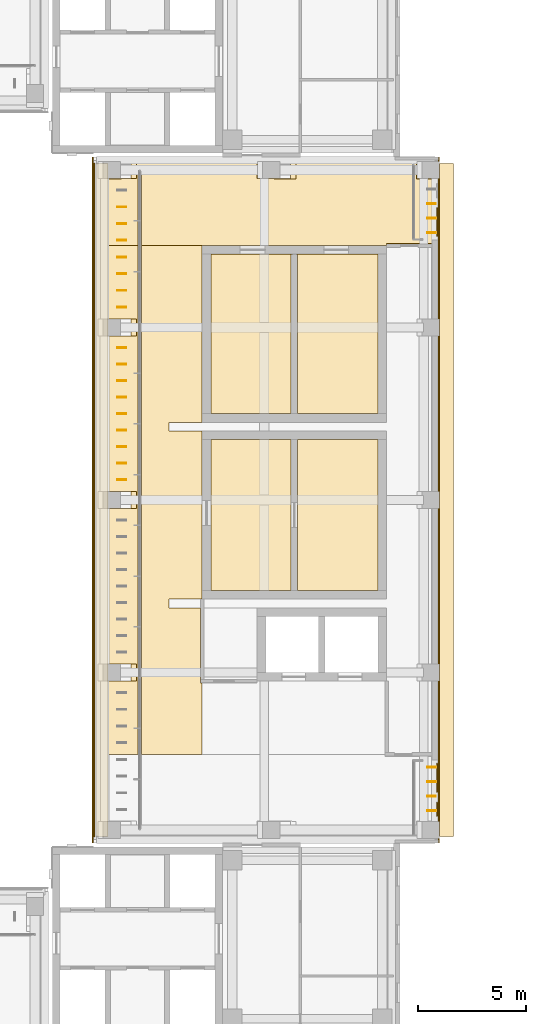
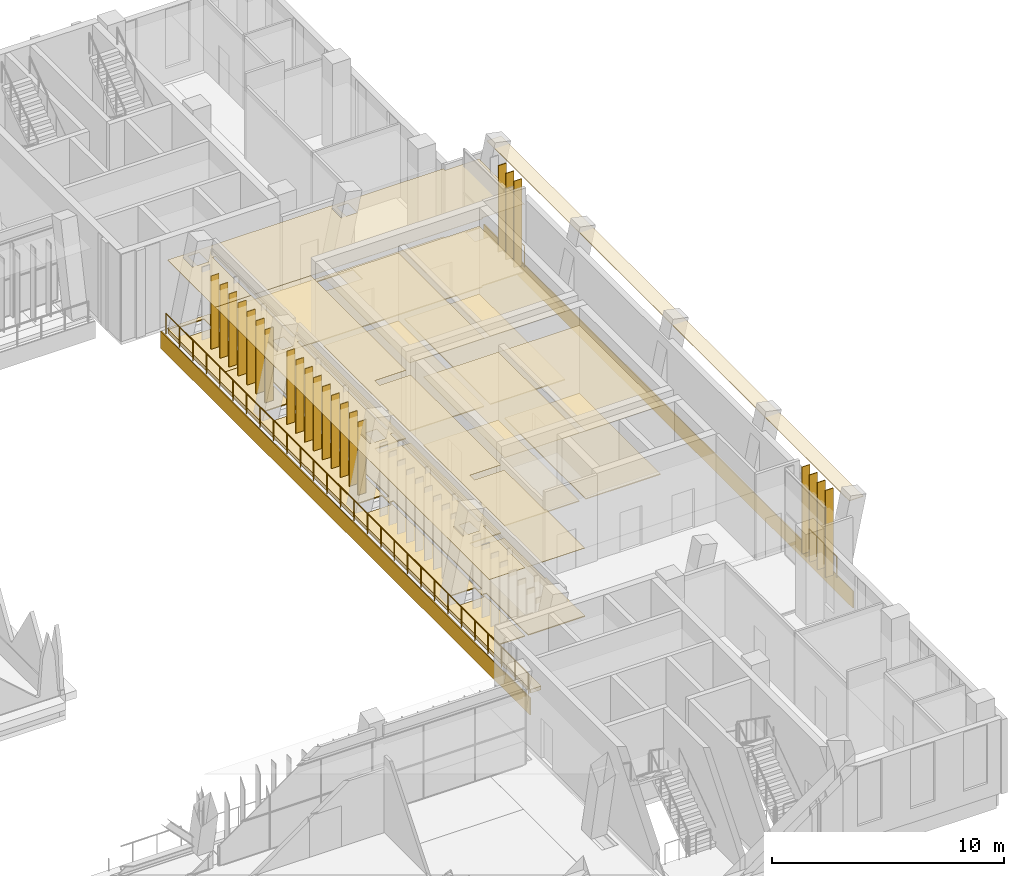
# One storey, part 139 of 141: 23 shading devices, 16 coverings, 4 railings.
"""IFC4 building model written with IfcOpenShell, lengths in metres."""

from ifc_helpers import new_model, si_unit, direction, frame, frame_2d, origin, origin_2d, place, context, subcontext, project, spatial, polyline, rectangle, circle, outline, extrude, material, layer, layer_set, type_object, element, save


model = new_model("IFC4")

# Units and contexts
model_context = context("Model", 3, precision=1e-05, world=origin(), true_north=direction((0.0, 1.0)))
body_context = subcontext(model_context, "Body", "Model", "MODEL_VIEW")
ifc_project = project(units=[si_unit("LENGTHUNIT", "METRE"), si_unit("AREAUNIT", "SQUARE_METRE"), si_unit("VOLUMEUNIT", "CUBIC_METRE"), si_unit("PLANEANGLEUNIT", "RADIAN"), si_unit("MASSUNIT", "GRAM", prefix="KILO")], contexts=[model_context])

# Site, building, storey
site_placement = place(None, origin())
site = spatial("IfcSite", under=ifc_project, at=site_placement, CompositionType="ELEMENT")
building_placement = place(site_placement, origin())
building = spatial("IfcBuilding", under=site, at=building_placement, Name="Lantern Court Media Centre", CompositionType="ELEMENT")
storey_placement = place(building_placement, frame((0.0, 0.0, 9.60009765625)))
storey = spatial("IfcBuildingStorey", under=building, at=storey_placement, Name="L02", CompositionType="ELEMENT", Elevation=9.60009765625)

# Coverings
ifc_material_1 = material(Name="Carpet")
ifc_layer_1 = layer(ifc_material_1, 0.050048828125)
ifc_layer_set_1 = layer_set([ifc_layer_1], Name="Carpet")
covering_type_1 = type_object("IfcCoveringType", Name="Carpet floor finish", PredefinedType="FLOORING", material=ifc_layer_set_1)
covering_1_placement = place(storey_placement, origin())
element("IfcCovering", 1, at=covering_1_placement, inside=storey, type_object=covering_type_1, Name="Recording Studio 01 floor finish", PredefinedType="FLOORING", context=body_context, shape_type="SweptSolid", body=[
    extrude(outline(polyline([(87.455078125, 75.804931640625), (87.455078125, 82.794921875), (91.169921875, 82.794921875), (91.169921875, 75.804931640625), (87.455078125, 75.804931640625)])), origin(), (0.0, 0.0, 1.0), 0.0498046875),
])
covering_2_placement = place(storey_placement, origin())
element("IfcCovering", 2, at=covering_2_placement, inside=storey, type_object=covering_type_1, Name="Recording Control Room 01 floor finish", PredefinedType="FLOORING", context=body_context, shape_type="SweptSolid", body=[
    extrude(outline(polyline([(91.47998046875, 75.804931640625), (91.47998046875, 82.794921875), (95.195068359375, 82.794921875), (95.195068359375, 75.804931640625), (91.47998046875, 75.804931640625)])), origin(), (0.0, 0.0, 1.0), 0.0498046875),
])
covering_3_placement = place(storey_placement, origin())
element("IfcCovering", 3, at=covering_3_placement, inside=storey, type_object=covering_type_1, Name="Recording Studio 02 floor finish", PredefinedType="FLOORING", context=body_context, shape_type="SweptSolid", body=[
    extrude(outline(polyline([(87.455078125, 84.0048828125), (87.455078125, 91.39501953125), (91.169921875, 91.39501953125), (91.169921875, 84.0048828125), (87.455078125, 84.0048828125)])), origin(), (0.0, 0.0, 1.0), 0.0498046875),
])
covering_4_placement = place(storey_placement, origin())
element("IfcCovering", 4, at=covering_4_placement, inside=storey, type_object=covering_type_1, Name="Recording Control Room 02 floor finish", PredefinedType="FLOORING", context=body_context, shape_type="SweptSolid", body=[
    extrude(outline(polyline([(91.47998046875, 91.39501953125), (95.195068359375, 91.39501953125), (95.195068359375, 84.0048828125), (91.47998046875, 84.0048828125), (91.47998046875, 91.39501953125)])), origin(), (0.0, 0.0, 1.0), 0.0498046875),
])

# Railings
ifc_material_2 = material(Name="Powder-coated steel", Category="steel")
railing_type_1 = type_object("IfcRailingType", Name="Floor edge guard 1100", PredefinedType="GUARDRAIL", material=ifc_material_2)
railing_1_placement = place(storey_placement, frame((97.93994140625, 93.5419921875, 0.0)))
element("IfcRailing", 5, at=railing_1_placement, inside=storey, type_object=railing_type_1, Name="L02 edge guard 65", PredefinedType="GUARDRAIL", context=body_context, shape_type="SweptSolid", body=[
    extrude(circle(Radius=0.02392578125, at=origin_2d()), frame((0.0, 0.0, 1.076171875), z_axis=(0.0, -1.0, 0.0), x_axis=(1.0, 0.0, 0.0)), (0.0, 0.0, 1.0), 1.299072265625),
    extrude(circle(Radius=0.02099609375, at=origin_2d()), origin(), (0.0, 0.0, 1.0), 1.052001953125),
    extrude(circle(Radius=0.02099609375, at=origin_2d()), frame((0.0, -0.6494140625, 0.0)), (0.0, 0.0, 1.0), 1.052001953125),
    extrude(circle(Radius=0.02099609375, at=origin_2d()), frame((0.0, -1.299072265625, 0.0)), (0.0, 0.0, 1.0), 1.052001953125),
])
railing_2_placement = place(storey_placement, frame((97.93994140625, 67.763916015625, 0.0)))
element("IfcRailing", 6, at=railing_2_placement, inside=storey, type_object=railing_type_1, Name="L02 edge guard 66", PredefinedType="GUARDRAIL", context=body_context, shape_type="SweptSolid", body=[
    extrude(circle(Radius=0.02392578125, at=origin_2d()), frame((0.0, 0.0, 1.076171875), z_axis=(0.0, -1.0, 0.0), x_axis=(1.0, 0.0, 0.0)), (0.0, 0.0, 1.0), 1.298828125),
    extrude(circle(Radius=0.02099609375, at=origin_2d()), origin(), (0.0, 0.0, 1.0), 1.052001953125),
    extrude(circle(Radius=0.02099609375, at=origin_2d()), frame((0.0, -0.6494140625, 0.0)), (0.0, 0.0, 1.0), 1.052001953125),
    extrude(circle(Radius=0.02099609375, at=origin_2d()), frame((0.0, -1.298828125, 0.0)), (0.0, 0.0, 1.0), 1.052001953125),
])
railing_3_placement = place(storey_placement, frame((97.93994140625, 65.965087890625, 0.0)))
element("IfcRailing", 7, at=railing_3_placement, inside=storey, type_object=railing_type_1, Name="L02 edge guard 67", PredefinedType="GUARDRAIL", context=body_context, shape_type="SweptSolid", body=[
    extrude(circle(Radius=0.02392578125, at=origin_2d()), frame((0.0, 0.0, 1.076171875), z_axis=(0.0, -1.0, 0.0), x_axis=(1.0, 0.0, 0.0)), (0.0, 0.0, 1.0), 0.59912109375),
    extrude(circle(Radius=0.02099609375, at=origin_2d()), origin(), (0.0, 0.0, 1.0), 1.052001953125),
    extrude(circle(Radius=0.02099609375, at=origin_2d()), frame((0.0, -0.59912109375, 0.0)), (0.0, 0.0, 1.0), 1.052001953125),
])

# Coverings
ifc_material_3 = material(Name="White glass-fibre reinforced cement cladding", Category="concrete")
ifc_layer_2 = layer(ifc_material_3, 0.050048828125)
ifc_layer_set_2 = layer_set([ifc_layer_2], Name="White glass-fibre reinforced cement cladding")
covering_type_2 = type_object("IfcCoveringType", Name="Floor-edge band 50", PredefinedType="CLADDING", material=ifc_layer_set_2)
for number, where, z_axis, x_axis, name in (
    (8, (98.02490234375, 64.10009765625, -0.900146484375), (0.0, 0.0, 1.0), (0.0, 1.0, 0.0), "Floor-edge band E outer L02"),
    (9, (81.97509765625, 64.10009765625, -0.900146484375), (0.0, 0.0, 1.0), (0.0, 1.0, 0.0), "Floor-edge band E inner L02"),
):
    element("IfcCovering", number, at=place(storey_placement, frame(where, z_axis=z_axis, x_axis=x_axis)), inside=storey, type_object=covering_type_2, Name=name, PredefinedType="CLADDING", context=body_context, shape_type="SweptSolid", body=[
        extrude(rectangle(XDim=31.7998046875, YDim=0.050048828125, at=frame_2d((15.89990234375, 0.0))), origin(), (0.0, 0.0, 1.0), 0.900146484375),
    ])

# Railing
ifc_material_4 = material(Name="Painted mild steel balustrade", Category="steel")
railing_type_2 = type_object("IfcRailingType", Name="Guard 1100 steel balustrade", PredefinedType="GUARDRAIL", material=ifc_material_4)
railing_4_placement = place(storey_placement, frame((82.050048828125, 64.39990234375, 0.0)))
element("IfcRailing", 10, at=railing_4_placement, inside=storey, type_object=railing_type_2, Name="Ledge guard E L02", PredefinedType="GUARDRAIL", context=body_context, shape_type="SweptSolid", body=[
    extrude(circle(Radius=0.02392578125, at=origin_2d()), frame((0.0, 0.0, 1.076171875), z_axis=(0.0, 1.0, 0.0), x_axis=(-1.0, 0.0, 0.0)), (0.0, 0.0, 1.0), 31.2001953125),
    extrude(circle(Radius=0.02099609375, at=origin_2d()), origin(), (0.0, 0.0, 1.0), 1.052001953125),
    extrude(circle(Radius=0.02099609375, at=origin_2d()), frame((0.0, 1.155517578125, 0.0)), (0.0, 0.0, 1.0), 1.052001953125),
    extrude(circle(Radius=0.02099609375, at=origin_2d()), frame((0.0, 2.31103515625, 0.0)), (0.0, 0.0, 1.0), 1.052001953125),
    extrude(circle(Radius=0.02099609375, at=origin_2d()), frame((0.0, 3.466796875, 0.0)), (0.0, 0.0, 1.0), 1.052001953125),
    extrude(circle(Radius=0.02099609375, at=origin_2d()), frame((0.0, 4.622314453125, 0.0)), (0.0, 0.0, 1.0), 1.052001953125),
    extrude(circle(Radius=0.02099609375, at=origin_2d()), frame((0.0, 5.77783203125, 0.0)), (0.0, 0.0, 1.0), 1.052001953125),
    extrude(circle(Radius=0.02099609375, at=origin_2d()), frame((0.0, 6.933349609375, 0.0)), (0.0, 0.0, 1.0), 1.052001953125),
    extrude(circle(Radius=0.02099609375, at=origin_2d()), frame((0.0, 8.0888671875, 0.0)), (0.0, 0.0, 1.0), 1.052001953125),
    extrude(circle(Radius=0.02099609375, at=origin_2d()), frame((0.0, 9.244384765625, 0.0)), (0.0, 0.0, 1.0), 1.052001953125),
    extrude(circle(Radius=0.02099609375, at=origin_2d()), frame((0.0, 10.400146484375, 0.0)), (0.0, 0.0, 1.0), 1.052001953125),
    extrude(circle(Radius=0.02099609375, at=origin_2d()), frame((0.0, 11.5556640625, 0.0)), (0.0, 0.0, 1.0), 1.052001953125),
    extrude(circle(Radius=0.02099609375, at=origin_2d()), frame((0.0, 12.711181640625, 0.0)), (0.0, 0.0, 1.0), 1.052001953125),
    extrude(circle(Radius=0.02099609375, at=origin_2d()), frame((0.0, 13.86669921875, 0.0)), (0.0, 0.0, 1.0), 1.052001953125),
    extrude(circle(Radius=0.02099609375, at=origin_2d()), frame((0.0, 15.022216796875, 0.0)), (0.0, 0.0, 1.0), 1.052001953125),
    extrude(circle(Radius=0.02099609375, at=origin_2d()), frame((0.0, 16.177978515625, 0.0)), (0.0, 0.0, 1.0), 1.052001953125),
    extrude(circle(Radius=0.02099609375, at=origin_2d()), frame((0.0, 17.33349609375, 0.0)), (0.0, 0.0, 1.0), 1.052001953125),
    extrude(circle(Radius=0.02099609375, at=origin_2d()), frame((0.0, 18.489013671875, 0.0)), (0.0, 0.0, 1.0), 1.052001953125),
    extrude(circle(Radius=0.02099609375, at=origin_2d()), frame((0.0, 19.64453125, 0.0)), (0.0, 0.0, 1.0), 1.052001953125),
    extrude(circle(Radius=0.02099609375, at=origin_2d()), frame((0.0, 20.800048828125, 0.0)), (0.0, 0.0, 1.0), 1.052001953125),
    extrude(circle(Radius=0.02099609375, at=origin_2d()), frame((0.0, 21.955810546875, 0.0)), (0.0, 0.0, 1.0), 1.052001953125),
    extrude(circle(Radius=0.02099609375, at=origin_2d()), frame((0.0, 23.111328125, 0.0)), (0.0, 0.0, 1.0), 1.052001953125),
    extrude(circle(Radius=0.02099609375, at=origin_2d()), frame((0.0, 24.266845703125, 0.0)), (0.0, 0.0, 1.0), 1.052001953125),
    extrude(circle(Radius=0.02099609375, at=origin_2d()), frame((0.0, 25.42236328125, 0.0)), (0.0, 0.0, 1.0), 1.052001953125),
    extrude(circle(Radius=0.02099609375, at=origin_2d()), frame((0.0, 26.577880859375, 0.0)), (0.0, 0.0, 1.0), 1.052001953125),
    extrude(circle(Radius=0.02099609375, at=origin_2d()), frame((0.0, 27.7333984375, 0.0)), (0.0, 0.0, 1.0), 1.052001953125),
    extrude(circle(Radius=0.02099609375, at=origin_2d()), frame((0.0, 28.88916015625, 0.0)), (0.0, 0.0, 1.0), 1.052001953125),
    extrude(circle(Radius=0.02099609375, at=origin_2d()), frame((0.0, 30.044677734375, 0.0)), (0.0, 0.0, 1.0), 1.052001953125),
    extrude(circle(Radius=0.02099609375, at=origin_2d()), frame((0.0, 31.2001953125, 0.0)), (0.0, 0.0, 1.0), 1.052001953125),
])

# Coverings
ifc_material_5 = material(Name="Planting substrate")
ifc_layer_3 = layer(ifc_material_5, 0.199951171875)
ifc_layer_set_3 = layer_set([ifc_layer_3], Name="Planting substrate")
covering_type_3 = type_object("IfcCoveringType", Name="Planted ledge build-up 200", PredefinedType="ROOFING", material=ifc_layer_set_3)
covering_5_placement = place(storey_placement, origin())
element("IfcCovering", 11, at=covering_5_placement, inside=storey, type_object=covering_type_3, Name="Planted ledge E L02", PredefinedType="ROOFING", context=body_context, shape_type="SweptSolid", body=[
    extrude(outline(polyline([(82.14990234375, 64.39990234375), (82.14990234375, 95.60009765625), (82.679931640625, 95.60009765625), (82.679931640625, 64.39990234375), (82.14990234375, 64.39990234375)])), origin(), (0.0, 0.0, 1.0), 0.199951171875),
])
ifc_material_6 = material(Name="White fibre cement soffit board")
ifc_layer_4 = layer(ifc_material_6, 0.0400390625)
ifc_layer_set_4 = layer_set([ifc_layer_4], Name="White fibre cement soffit board")
covering_type_4 = type_object("IfcCoveringType", Name="Soffit lining 40", PredefinedType="CLADDING", material=ifc_layer_set_4)
covering_6_placement = place(storey_placement, frame((98.35009765625, 64.39990234375, 4.539794921875), z_axis=(0.0, 0.0, 1.0), x_axis=(0.0, 1.0, 0.0)))
element("IfcCovering", 12, at=covering_6_placement, inside=storey, type_object=covering_type_4, Name="Soffit lining E L02", PredefinedType="CLADDING", context=body_context, shape_type="SweptSolid", body=[
    extrude(rectangle(XDim=31.2001953125, YDim=0.699951171875, at=frame_2d((15.60009765625, 0.0))), origin(), (0.0, 0.0, 1.0), 0.0400390625),
])
ifc_material_7 = material(Name="Mineral fibre ceiling tile")
ifc_layer_5 = layer(ifc_material_7, 0.02001953125)
ifc_layer_set_5 = layer_set([ifc_layer_5], Name="Mineral fibre ceiling tile")
covering_type_5 = type_object("IfcCoveringType", Name="Suspended ceiling tile", PredefinedType="CEILING", material=ifc_layer_set_5)
covering_7_placement = place(storey_placement, frame((0.0, 0.0, 3.599853515625)))
element("IfcCovering", 13, at=covering_7_placement, inside=storey, type_object=covering_type_5, Name="End Lobby ceiling", PredefinedType="CEILING", context=body_context, shape_type="SweptSolid", body=[
    extrude(outline(polyline([(97.699951171875, 95.759521484375), (97.699462890625, 91.800048828125), (97.695068359375, 91.880615234375), (95.60498046875, 91.880615234375), (95.6044921875, 91.800048828125), (84.2255859375, 91.800048828125), (84.2255859375, 95.10009765625), (84.074951171875, 95.1005859375), (84.074462890625, 91.800048828125), (82.300048828125, 91.800048828125), (82.300048828125, 95.89990234375), (95.99951171875, 95.89990234375), (96.0, 95.759521484375), (97.699951171875, 95.759521484375)]), holes=[polyline([(91.152099609375, 94.8994140625), (91.152587890625, 95.7001953125), (90.599609375, 95.700439453125), (90.599609375, 94.899658203125), (91.152099609375, 94.8994140625)]), polyline([(90.400390625, 95.699951171875), (90.3515625, 95.699951171875), (90.35205078125, 94.8994140625), (90.400390625, 94.89990234375), (90.400390625, 95.699951171875)]), polyline([(83.752197265625, 94.8994140625), (83.75244140625, 95.7001953125), (83.19970703125, 95.700439453125), (83.199462890625, 94.899658203125), (83.752197265625, 94.8994140625)]), polyline([(83.00048828125, 95.699951171875), (82.95166015625, 95.699951171875), (82.9521484375, 94.8994140625), (83.00048828125, 94.89990234375), (83.00048828125, 95.699951171875)])]), origin(), (0.0, 0.0, 1.0), 0.02001953125),
])
covering_8_placement = place(storey_placement, frame((0.0, 0.0, 3.599853515625)))
element("IfcCovering", 14, at=covering_8_placement, inside=storey, type_object=covering_type_5, Name="Recording Studio 01 ceiling", PredefinedType="CEILING", context=body_context, shape_type="SweptSolid", body=[
    extrude(outline(polyline([(91.324951171875, 75.800537109375), (87.450439453125, 75.800537109375), (87.450439453125, 82.799560546875), (91.324951171875, 82.799560546875), (91.174560546875, 82.794921875), (91.174560546875, 75.804931640625), (91.324951171875, 75.800537109375)])), origin(), (0.0, 0.0, 1.0), 0.02001953125),
])
covering_9_placement = place(storey_placement, frame((0.0, 0.0, 3.599853515625)))
element("IfcCovering", 15, at=covering_9_placement, inside=storey, type_object=covering_type_5, Name="Recording Control Room 01 ceiling", PredefinedType="CEILING", context=body_context, shape_type="SweptSolid", body=[
    extrude(outline(polyline([(91.324951171875, 82.799560546875), (95.199462890625, 82.799560546875), (95.199462890625, 75.800537109375), (91.324951171875, 75.800537109375), (91.4755859375, 75.804931640625), (91.4755859375, 82.794921875), (91.324951171875, 82.799560546875)])), origin(), (0.0, 0.0, 1.0), 0.02001953125),
])
covering_10_placement = place(storey_placement, frame((0.0, 0.0, 3.599853515625)))
element("IfcCovering", 16, at=covering_10_placement, inside=storey, type_object=covering_type_5, Name="Recording Studio 02 ceiling", PredefinedType="CEILING", context=body_context, shape_type="SweptSolid", body=[
    extrude(outline(polyline([(91.324951171875, 84.00048828125), (87.450439453125, 84.00048828125), (87.450439453125, 91.3994140625), (91.324951171875, 91.3994140625), (91.174560546875, 91.39501953125), (91.174560546875, 84.0048828125), (91.324951171875, 84.00048828125)])), origin(), (0.0, 0.0, 1.0), 0.02001953125),
])
covering_11_placement = place(storey_placement, frame((0.0, 0.0, 3.599853515625)))
element("IfcCovering", 17, at=covering_11_placement, inside=storey, type_object=covering_type_5, Name="Recording Control Room 02 ceiling", PredefinedType="CEILING", context=body_context, shape_type="SweptSolid", body=[
    extrude(outline(polyline([(91.324951171875, 91.3994140625), (95.199462890625, 91.3994140625), (95.199462890625, 84.00048828125), (91.324951171875, 84.00048828125), (91.4755859375, 84.0048828125), (91.4755859375, 91.39501953125), (91.324951171875, 91.3994140625)])), origin(), (0.0, 0.0, 1.0), 0.02001953125),
])
covering_12_placement = place(storey_placement, frame((0.0, 0.0, 3.599853515625)))
element("IfcCovering", 18, at=covering_12_placement, inside=storey, type_object=covering_type_5, Name="Corridor ceiling", PredefinedType="CEILING", context=body_context, shape_type="SweptSolid", body=[
    extrude(outline(polyline([(87.050048828125, 68.199951171875), (84.2255859375, 68.199951171875), (84.22509765625, 71.800537109375), (84.074462890625, 71.800048828125), (84.074462890625, 68.199951171875), (82.300048828125, 68.199951171875), (82.300048828125, 91.800048828125), (84.074462890625, 91.800048828125), (84.074951171875, 88.199462890625), (84.2255859375, 88.199951171875), (84.2255859375, 91.800048828125), (87.049560546875, 91.800048828125), (87.049560546875, 83.60009765625), (85.5, 83.60009765625), (85.5, 83.199951171875), (87.049560546875, 83.199951171875), (87.049560546875, 75.400390625), (85.5, 75.39990234375), (85.5, 75.0), (86.974609375, 75.0), (86.974609375, 71.52490234375), (87.050048828125, 71.5244140625), (87.050048828125, 68.199951171875)]), holes=[polyline([(84.074462890625, 80.199951171875), (84.2255859375, 80.199951171875), (84.22509765625, 87.800537109375), (84.074462890625, 87.800048828125), (84.074462890625, 80.199951171875)]), polyline([(84.074462890625, 72.199951171875), (84.2255859375, 72.199951171875), (84.22509765625, 79.800537109375), (84.074462890625, 79.800048828125), (84.074462890625, 72.199951171875)]), polyline([(83.752197265625, 87.599609375), (83.75244140625, 88.400390625), (83.19970703125, 88.400390625), (83.199462890625, 87.599609375), (83.752197265625, 87.599609375)]), polyline([(83.752197265625, 79.599609375), (83.75244140625, 80.400390625), (83.19970703125, 80.400390625), (83.199462890625, 79.599609375), (83.752197265625, 79.599609375)]), polyline([(83.752197265625, 71.599609375), (83.75244140625, 72.400390625), (83.19970703125, 72.400390625), (83.199462890625, 71.599609375), (83.752197265625, 71.599609375)]), polyline([(83.00048828125, 80.39990234375), (82.95166015625, 80.400146484375), (82.9521484375, 79.599609375), (83.00048828125, 79.599853515625), (83.00048828125, 80.39990234375)]), polyline([(83.00048828125, 72.39990234375), (82.95166015625, 72.400146484375), (82.9521484375, 71.599609375), (83.00048828125, 71.599853515625), (83.00048828125, 72.39990234375)]), polyline([(83.00048828125, 88.39990234375), (82.95166015625, 88.400146484375), (82.9521484375, 87.599609375), (83.00048828125, 87.599853515625), (83.00048828125, 88.39990234375)])]), origin(), (0.0, 0.0, 1.0), 0.02001953125),
])
ifc_material_8 = material(Name="Terrazzo")
ifc_layer_6 = layer(ifc_material_8, 0.050048828125)
ifc_layer_set_6 = layer_set([ifc_layer_6], Name="Terrazzo")
covering_type_6 = type_object("IfcCoveringType", Name="Terrazzo floor finish", PredefinedType="FLOORING", material=ifc_layer_set_6)
covering_13_placement = place(storey_placement, origin())
element("IfcCovering", 19, at=covering_13_placement, inside=storey, type_object=covering_type_6, Name="End Lobby floor finish", PredefinedType="FLOORING", context=body_context, shape_type="SweptSolid", body=[
    extrude(outline(polyline([(97.699951171875, 94.89501953125), (97.695068359375, 91.885009765625), (95.60498046875, 91.885009765625), (95.60009765625, 91.804931640625), (84.22998046875, 91.800048828125), (84.22998046875, 95.10009765625), (84.074951171875, 95.10498046875), (84.070068359375, 91.800048828125), (82.300048828125, 91.800048828125), (82.300048828125, 94.89501953125), (84.0048828125, 94.89990234375), (84.00244140625, 95.704345703125), (82.300048828125, 95.705078125), (82.300048828125, 95.89990234375), (95.9951171875, 95.89990234375), (95.99951171875, 95.755126953125), (97.699951171875, 95.7548828125), (97.699951171875, 95.705078125), (96.9951171875, 95.699951171875), (96.99609375, 94.896728515625), (97.699951171875, 94.89501953125)]), holes=[polyline([(89.594970703125, 94.89990234375), (91.40185546875, 94.895263671875), (91.404541015625, 95.701904296875), (89.59814453125, 95.70458984375), (89.594970703125, 94.89990234375)])]), origin(), (0.0, 0.0, 1.0), 0.0498046875),
])
covering_14_placement = place(storey_placement, origin())
element("IfcCovering", 20, at=covering_14_placement, inside=storey, type_object=covering_type_6, Name="Corridor floor finish", PredefinedType="FLOORING", context=body_context, shape_type="SweptSolid", body=[
    extrude(outline(polyline([(87.050048828125, 68.199951171875), (84.22998046875, 68.199951171875), (84.22509765625, 71.804931640625), (84.070068359375, 71.800048828125), (84.070068359375, 68.199951171875), (82.300048828125, 68.199951171875), (82.300048828125, 71.594970703125), (84.0048828125, 71.60009765625), (84.001953125, 72.404541015625), (82.300048828125, 72.405029296875), (82.300048828125, 79.594970703125), (84.0048828125, 79.60009765625), (84.001953125, 80.404541015625), (82.300048828125, 80.405029296875), (82.300048828125, 87.594970703125), (84.0048828125, 87.60009765625), (84.001953125, 88.404541015625), (82.300048828125, 88.405029296875), (82.300048828125, 91.800048828125), (84.070068359375, 91.800048828125), (84.074951171875, 88.195068359375), (84.22998046875, 88.199951171875), (84.22998046875, 91.800048828125), (87.044921875, 91.800048828125), (87.044921875, 83.60009765625), (85.5, 83.60009765625), (85.5, 83.199951171875), (87.044921875, 83.199951171875), (87.044921875, 75.405029296875), (85.5, 75.39990234375), (85.5, 75.0), (86.969970703125, 75.0), (86.969970703125, 71.52490234375), (87.050048828125, 71.52001953125), (87.050048828125, 68.199951171875)]), holes=[polyline([(84.070068359375, 72.199951171875), (84.22998046875, 72.199951171875), (84.22509765625, 79.804931640625), (84.070068359375, 79.800048828125), (84.070068359375, 72.199951171875)]), polyline([(84.070068359375, 80.199951171875), (84.22998046875, 80.199951171875), (84.22509765625, 87.804931640625), (84.070068359375, 87.800048828125), (84.070068359375, 80.199951171875)])]), origin(), (0.0, 0.0, 1.0), 0.0498046875),
])

# Shading devices
ifc_material_9 = material(Name="Bronze anodised aluminium louvre", Category="aluminium")
ifc_layer_7 = layer(ifc_material_9, 0.0400390625)
ifc_layer_set_7 = layer_set([ifc_layer_7], Name="Bronze anodised aluminium louvre")
shading_device_type_1 = type_object("IfcShadingDeviceType", Name="Vertical louvre 40x400 full storey", PredefinedType="USERDEFINED", material=ifc_layer_set_7)
for number, where, z_axis, x_axis, name in (
    (21, (97.679931640625, 65.58740234375, -0.000244140625), (0.0, 0.0, 1.0), (1.0, 0.0, 0.0), "Vertical louvre E outer L02"),
    (22, (97.679931640625, 66.262451171875, -0.000244140625), (0.0, 0.0, 1.0), (1.0, 0.0, 0.0), "Vertical louvre E outer L02"),
    (23, (97.679931640625, 66.9375, -0.000244140625), (0.0, 0.0, 1.0), (1.0, 0.0, 0.0), "Vertical louvre E outer L02"),
    (24, (97.679931640625, 67.612548828125, -0.000244140625), (0.0, 0.0, 1.0), (1.0, 0.0, 0.0), "Vertical louvre E outer L02"),
    (25, (97.679931640625, 92.387451171875, -0.000244140625), (0.0, 0.0, 1.0), (1.0, 0.0, 0.0), "Vertical louvre E outer L02"),
    (26, (97.679931640625, 93.0625, -0.000244140625), (0.0, 0.0, 1.0), (1.0, 0.0, 0.0), "Vertical louvre E outer L02"),
    (27, (97.679931640625, 93.737548828125, -0.000244140625), (0.0, 0.0, 1.0), (1.0, 0.0, 0.0), "Vertical louvre E outer L02"),
):
    element("IfcShadingDevice", number, at=place(storey_placement, frame(where, z_axis=z_axis, x_axis=x_axis)), inside=storey, type_object=shading_device_type_1, Name=name, ObjectType="VERTICAL LOUVRE", PredefinedType="USERDEFINED", context=body_context, shape_type="SweptSolid", body=[
        extrude(rectangle(XDim=0.39990234375, YDim=0.0400390625, at=origin_2d()), origin(), (0.0, 0.0, 1.0), 4.580078125),
    ])
ifc_layer_8 = layer(ifc_material_9, 0.0400390625)
ifc_layer_set_8 = layer_set([ifc_layer_8], Name="Bronze anodised aluminium louvre")
shading_device_type_2 = type_object("IfcShadingDeviceType", Name="Vertical louvre 40x400 under beam", PredefinedType="USERDEFINED", material=ifc_layer_set_8)
for number, where, z_axis, x_axis, name in (
    (28, (83.320068359375, 80.933349609375, 0.0), (0.0, 0.0, 1.0), (1.0, 0.0, 0.0), "Vertical louvre E inner L02"),
    (29, (83.320068359375, 81.699951171875, 0.0), (0.0, 0.0, 1.0), (1.0, 0.0, 0.0), "Vertical louvre E inner L02"),
    (30, (83.320068359375, 82.466552734375, 0.0), (0.0, 0.0, 1.0), (1.0, 0.0, 0.0), "Vertical louvre E inner L02"),
    (31, (83.320068359375, 83.2333984375, 0.0), (0.0, 0.0, 1.0), (1.0, 0.0, 0.0), "Vertical louvre E inner L02"),
    (32, (83.320068359375, 84.0, 0.0), (0.0, 0.0, 1.0), (1.0, 0.0, 0.0), "Vertical louvre E inner L02"),
    (33, (83.320068359375, 84.7666015625, 0.0), (0.0, 0.0, 1.0), (1.0, 0.0, 0.0), "Vertical louvre E inner L02"),
    (34, (83.320068359375, 85.533447265625, 0.0), (0.0, 0.0, 1.0), (1.0, 0.0, 0.0), "Vertical louvre E inner L02"),
    (35, (83.320068359375, 86.300048828125, 0.0), (0.0, 0.0, 1.0), (1.0, 0.0, 0.0), "Vertical louvre E inner L02"),
    (36, (83.320068359375, 87.066650390625, 0.0), (0.0, 0.0, 1.0), (1.0, 0.0, 0.0), "Vertical louvre E inner L02"),
    (37, (83.320068359375, 88.9375, 0.0), (0.0, 0.0, 1.0), (1.0, 0.0, 0.0), "Vertical louvre E inner L02"),
    (38, (83.320068359375, 89.71240234375, 0.0), (0.0, 0.0, 1.0), (1.0, 0.0, 0.0), "Vertical louvre E inner L02"),
    (39, (83.320068359375, 90.487548828125, 0.0), (0.0, 0.0, 1.0), (1.0, 0.0, 0.0), "Vertical louvre E inner L02"),
    (40, (83.320068359375, 91.262451171875, 0.0), (0.0, 0.0, 1.0), (1.0, 0.0, 0.0), "Vertical louvre E inner L02"),
    (41, (83.320068359375, 92.03759765625, 0.0), (0.0, 0.0, 1.0), (1.0, 0.0, 0.0), "Vertical louvre E inner L02"),
    (42, (83.320068359375, 92.8125, 0.0), (0.0, 0.0, 1.0), (1.0, 0.0, 0.0), "Vertical louvre E inner L02"),
    (43, (83.320068359375, 93.58740234375, 0.0), (0.0, 0.0, 1.0), (1.0, 0.0, 0.0), "Vertical louvre E inner L02"),
):
    element("IfcShadingDevice", number, at=place(storey_placement, frame(where, z_axis=z_axis, x_axis=x_axis)), inside=storey, type_object=shading_device_type_2, Name=name, ObjectType="VERTICAL LOUVRE", PredefinedType="USERDEFINED", context=body_context, shape_type="SweptSolid", body=[
        extrude(rectangle(XDim=0.39990234375, YDim=0.0400390625, at=origin_2d()), origin(), (0.0, 0.0, 1.0), 3.89990234375),
    ])

save(model, "model.ifc")
